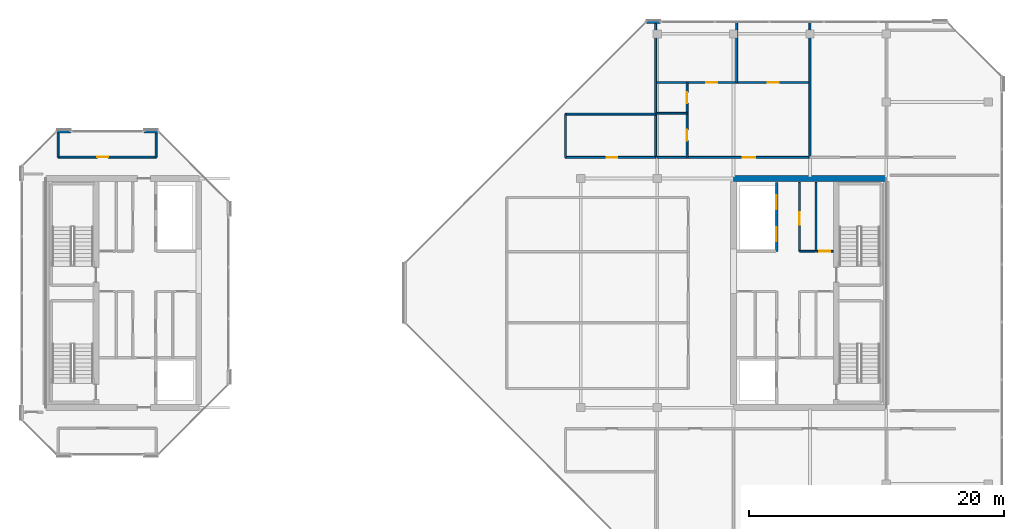
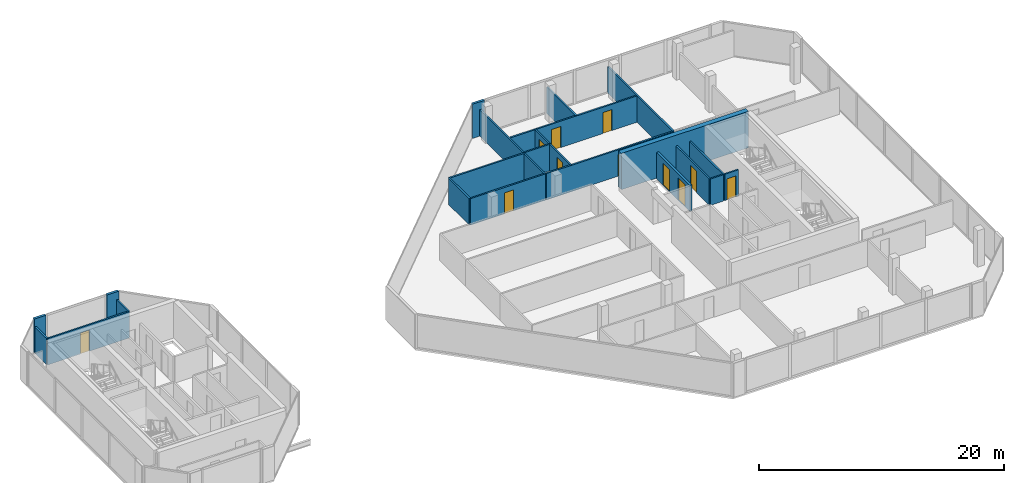
# One storey, part 25 of 30: 22 walls, 11 doors, 11 openings.
"""IFC4 building model written with IfcOpenShell, lengths in metres."""

import ifcopenshell
import ifcopenshell.guid

model = None  # the IFC model being written
_history = None  # IfcOwnerHistory: only IFC2X3 demands one
_inside = {}  # id of a spatial element -> (the spatial element, [elements in it])
_under = {}  # id of a project, library or spatial element -> (it, [spatial elements below it])
_declared = {}  # id of a project -> (the project, [libraries it declares])
_typed = {}  # id of a type object -> (the type object, [elements of that type])
_made_of = {}  # id of a material, layer set ... -> (it, [elements and type objects made of it])


def new_model(schema):
    """Start an empty IFC model of exactly this schema.

    Asked for "IFC4X3", IfcOpenShell would pick the latest addendum, in which some entities
    have other attributes; the version numbers below select the first issue.
    IFC2X3 requires an IfcOwnerHistory on every rooted entity: one is made here for all.
    """
    global model, _history
    if schema == "IFC4X3":
        model = ifcopenshell.file(schema_version=(4, 3, 0, 0))
    else:
        model = ifcopenshell.file(schema=schema)
    _inside.clear()
    _under.clear()
    _declared.clear()
    _typed.clear()
    _made_of.clear()
    _history = None
    if model.schema == "IFC2X3":
        org = make("IfcOrganization", Name="unknown")
        user = make(
            "IfcPersonAndOrganization",
            ThePerson=make("IfcPerson", FamilyName="unknown"),
            TheOrganization=org,
        )
        app = make(
            "IfcApplication",
            ApplicationDeveloper=org,
            Version="unknown",
            ApplicationFullName="unknown",
            ApplicationIdentifier="unknown",
        )
        _history = make(
            "IfcOwnerHistory",
            OwningUser=user,
            OwningApplication=app,
            ChangeAction="ADDED",
            CreationDate=0,
        )
    return model


def make(cls, **values):
    """One entity of the class cls with the attributes given. An attribute that is None is left unset."""
    return model.create_entity(
        cls, **{name: value for name, value in values.items() if value is not None}
    )


def rooted(cls, **values):
    """An entity with a GlobalId (a new one), such as an element, a storey or a relation."""
    return make(cls, GlobalId=ifcopenshell.guid.new(), OwnerHistory=_history, **values)


def si_unit(unit_type, name, prefix=None):
    """IfcSIUnit, for example si_unit("LENGTHUNIT", "METRE", prefix="MILLI")."""
    return make("IfcSIUnit", UnitType=unit_type, Prefix=prefix, Name=name)


def assignment(units):
    """IfcUnitAssignment: the units of a project."""
    return None if units is None else make("IfcUnitAssignment", Units=units)


def point(xyz):
    """IfcCartesianPoint."""
    return None if xyz is None else make("IfcCartesianPoint", Coordinates=xyz)


def direction(xyz):
    """IfcDirection."""
    return None if xyz is None else make("IfcDirection", DirectionRatios=xyz)


def frame(location, z_axis=None, x_axis=None):
    """IfcAxis2Placement3D, a coordinate frame: its origin and axes. An axis left out is left unset."""
    return make(
        "IfcAxis2Placement3D",
        Location=point(location),
        Axis=direction(z_axis),
        RefDirection=direction(x_axis),
    )


def frame_2d(location, x_axis=None):
    """IfcAxis2Placement2D, a coordinate frame in the plane: its origin and x axis."""
    return make(
        "IfcAxis2Placement2D", Location=point(location), RefDirection=direction(x_axis)
    )


def origin():
    """The frame at (0, 0, 0) with its axes left unset."""
    return frame((0.0, 0.0, 0.0))


def place(relative_to, where):
    """IfcLocalPlacement: puts the frame where relative to a parent placement (None: the world)."""
    return make(
        "IfcLocalPlacement", PlacementRelTo=relative_to, RelativePlacement=where
    )


def context(
    kind, dimensions, precision=None, world=None, true_north=None, identifier=None
):
    """IfcGeometricRepresentationContext, for example the 3D "Model" context."""
    return make(
        "IfcGeometricRepresentationContext",
        ContextIdentifier=identifier,
        ContextType=kind,
        CoordinateSpaceDimension=dimensions,
        Precision=precision,
        WorldCoordinateSystem=world,
        TrueNorth=true_north,
    )


def subcontext(parent, identifier, kind, view, scale=None):
    """IfcGeometricRepresentationSubContext, for example "Body" below "Model"."""
    return make(
        "IfcGeometricRepresentationSubContext",
        ContextIdentifier=identifier,
        ContextType=kind,
        ParentContext=parent,
        TargetScale=scale,
        TargetView=view,
    )


def project(units=None, contexts=None):
    """IfcProject with its units and contexts."""
    return rooted(
        "IfcProject",
        Name="project",
        RepresentationContexts=contexts,
        UnitsInContext=assignment(units),
    )


def spatial(cls, under=None, at=None, **own):
    """A site, building, storey or space (cls), placed at a placement, below another one or the project."""
    s = rooted(cls, ObjectPlacement=at, **own)
    if under is not None:
        _under.setdefault(under.id(), (under, []))[1].append(s)
    return s


def profile(cls, at=None, kind="AREA", **sizes):
    """A parametric profile (cls). Its sizes go by their IFC names, for example OverallWidth=200.0."""
    return make(cls, ProfileType=kind, Position=at, **sizes)


def rectangle(**sizes):
    """IfcRectangleProfileDef."""
    return profile("IfcRectangleProfileDef", **sizes)


def extrude(swept, where, along, depth):
    """IfcExtrudedAreaSolid: the profile swept, set in the frame where, extruded along a direction by depth."""
    return make(
        "IfcExtrudedAreaSolid",
        SweptArea=swept,
        Position=where,
        ExtrudedDirection=direction(along),
        Depth=depth,
    )


def shape(context_of_items, identifier, shape_type, items):
    """IfcShapeRepresentation: the items that make up one representation, for example the "Body"."""
    return make(
        "IfcShapeRepresentation",
        ContextOfItems=context_of_items,
        RepresentationIdentifier=identifier,
        RepresentationType=shape_type,
        Items=items,
    )


def material(Name=None, Category=None):
    """IfcMaterial."""
    return make("IfcMaterial", Name=Name, Category=Category)


def layer(
    of_material, thickness, ventilated=None, Name=None, Category=None, Priority=None
):
    """IfcMaterialLayer: one layer of a wall or slab, of a material (None: an air gap)."""
    return make(
        "IfcMaterialLayer",
        Material=of_material,
        LayerThickness=thickness,
        IsVentilated=ventilated,
        Name=Name,
        Category=Category,
        Priority=Priority,
    )


def layer_set(layers, Name=None):
    """IfcMaterialLayerSet."""
    return make("IfcMaterialLayerSet", MaterialLayers=layers, LayerSetName=Name)


def made_of(thing, what):
    """Note that an element or type object is made of a material, layer set ...; save() writes the relation."""
    if what is not None:
        _made_of.setdefault(what.id(), (what, []))[1].append(thing)
    return thing


def type_object(cls, material=None, **own):
    """A type object (cls), such as IfcWallType, which elements share."""
    return made_of(rooted(cls, **own), material)


def element(
    cls,
    number,
    at=None,
    inside=None,
    cuts=None,
    type_object=None,
    material=None,
    context=None,
    identifier="Body",
    shape_type=None,
    held_by="IfcProductDefinitionShape",
    body=None,
    shapes=None,
    **own,
):
    """One element of the class cls, such as IfcWall. Its Tag is "e" and its number.

    at: its placement. inside: the storey or other place that contains it. cuts: it is an
    opening in that element (IfcRelVoidsElement). A single representation is given by context,
    identifier, shape_type and body (its items); several are given by shapes. held_by: the class
    of the entity that holds the representations. save() writes the other relations.
    """
    e = rooted(cls, Tag="e%d" % number, ObjectPlacement=at, **own)
    if body is not None:
        shapes = [shape(context, identifier, shape_type, body)]
    if shapes is not None:
        e.Representation = make(held_by, Representations=shapes)
    if inside is not None:
        _inside.setdefault(inside.id(), (inside, []))[1].append(e)
    if cuts is not None:
        rooted(
            "IfcRelVoidsElement", RelatingBuildingElement=cuts, RelatedOpeningElement=e
        )
    if type_object is not None:
        _typed.setdefault(type_object.id(), (type_object, []))[1].append(e)
    return made_of(e, material)


def fill(opening, filler):
    """IfcRelFillsElement: the door or window that sits in an opening."""
    return rooted(
        "IfcRelFillsElement",
        RelatingOpeningElement=opening,
        RelatedBuildingElement=filler,
    )


def aggregate(whole, parts):
    """IfcRelAggregates: a whole, such as a stair, and the parts it consists of."""
    return rooted("IfcRelAggregates", RelatingObject=whole, RelatedObjects=parts)


def save(model, path):
    """Write the relations noted so far, then the file.

    IfcRelAggregates (storeys below a building ...), IfcRelContainedInSpatialStructure (elements
    in a storey), IfcRelDefinesByType, IfcRelAssociatesMaterial and IfcRelDeclares: one each for
    every whole, place, type object, material and project.
    """
    for whole, parts in _under.values():
        aggregate(whole, parts)
    for where, things in _inside.values():
        rooted(
            "IfcRelContainedInSpatialStructure",
            RelatedElements=things,
            RelatingStructure=where,
        )
    for kind, things in _typed.values():
        rooted("IfcRelDefinesByType", RelatedObjects=things, RelatingType=kind)
    for what, things in _made_of.values():
        rooted("IfcRelAssociatesMaterial", RelatedObjects=things, RelatingMaterial=what)
    for by, libraries in _declared.values():
        rooted("IfcRelDeclares", RelatingContext=by, RelatedDefinitions=libraries)
    model.write(path)


model = new_model("IFC4")

# Units and contexts
model_context = context("Model", 3, precision=1e-05, world=origin(), true_north=direction((0.0, 1.0)))
body_context = subcontext(model_context, "Body", "Model", "MODEL_VIEW")
ifc_project = project(units=[si_unit("LENGTHUNIT", "METRE"), si_unit("AREAUNIT", "SQUARE_METRE"), si_unit("VOLUMEUNIT", "CUBIC_METRE"), si_unit("PLANEANGLEUNIT", "RADIAN"), si_unit("MASSUNIT", "GRAM", prefix="KILO")], contexts=[model_context])

# Site, building, storey
site_placement = place(None, origin())
site = spatial("IfcSite", under=ifc_project, at=site_placement, CompositionType="ELEMENT")
building_placement = place(site_placement, origin())
building = spatial("IfcBuilding", under=site, at=building_placement, Name="Tanjung Sevakor Pilgrim Tower", CompositionType="ELEMENT")
storey_placement = place(building_placement, frame((0.0, 0.0, 253.43994140625)))
storey = spatial("IfcBuildingStorey", under=building, at=storey_placement, Name="L71", CompositionType="ELEMENT", Elevation=253.43994140625)

# Walls
ifc_material_1 = material(Name="Concrete C60/75", Category="concrete")
ifc_layer_1 = layer(ifc_material_1, 0.449951171875)
ifc_layer_set_1 = layer_set([ifc_layer_1], Name="WALL-CW-450")
wall_type_1 = type_object("IfcWallType", Name="WALL-CW-450", PredefinedType="SHEAR", material=ifc_layer_set_1)
wall_1_placement = place(storey_placement, frame((90.0, 42.60009765625, 0.0), z_axis=(0.0, 0.0, 1.0), x_axis=(-1.0, 0.0, 0.0)))
element("IfcWall", 1, at=wall_1_placement, inside=storey, type_object=wall_type_1, Name="L71 E Core North Shear Wall", PredefinedType="SHEAR", context=body_context, shape_type="SweptSolid", body=[
    extrude(rectangle(XDim=12.0, YDim=0.449951171875, at=frame_2d((6.0, 0.0))), origin(), (0.0, 0.0, 1.0), 3.630126953125),
])
ifc_material_2 = material(Name="Concrete C40/50", Category="concrete")
ifc_layer_2 = layer(ifc_material_2, 0.14990234375)
ifc_layer_set_2 = layer_set([ifc_layer_2], Name="WT-COMP-150")
wall_type_2 = type_object("IfcWallType", Name="WT-COMP-150", PredefinedType="SOLIDWALL", material=ifc_layer_set_2)
wall_2_placement = place(storey_placement, frame((84.47998046875, 36.8798828125, 0.0), z_axis=(0.0, 0.0, 1.0), x_axis=(0.0, 1.0, 0.0)))
element("IfcWall", 2, at=wall_2_placement, inside=storey, type_object=wall_type_2, Name="L71 Partition IW-L71-027", PredefinedType="SOLIDWALL", context=body_context, shape_type="SweptSolid", body=[
    extrude(rectangle(XDim=5.420166015625, YDim=0.14990234375, at=frame_2d((2.7099609375, 0.0))), origin(), (0.0, 0.0, 1.0), 2.6298828125),
])

# Wall, opening, door
wall_3_placement = place(storey_placement, frame((84.550048828125, 36.8798828125, 0.0), z_axis=(0.0, 0.0, 1.0), x_axis=(1.0, 0.0, 0.0)))
wall_3 = element("IfcWall", 3, at=wall_3_placement, inside=storey, type_object=wall_type_2, Name="L71 Partition IW-L71-028", PredefinedType="SOLIDWALL", context=body_context, shape_type="SweptSolid", body=[
    extrude(rectangle(XDim=1.280029296875, YDim=0.14990234375, at=frame_2d((0.64013671875, 0.0))), origin(), (0.0, 0.0, 1.0), 2.6298828125),
])
opening_1_placement = place(wall_3_placement, frame((0.179931640625, 0.0, 0.0)))
opening_1 = element("IfcOpeningElement", 4, at=opening_1_placement, cuts=wall_3, Name="Opening ID-FD3", PredefinedType="OPENING", context=body_context, shape_type="SweptSolid", body=[
    extrude(rectangle(XDim=0.85009765625, YDim=2.10009765625, at=frame_2d((0.425048828125, 1.050048828125))), frame((0.0, 0.0849609375, 0.0), z_axis=(0.0, -1.0, 0.0), x_axis=(1.0, 0.0, 0.0)), (0.0, 0.0, 1.0), 0.169921875),
])
ifc_material_3 = material(Name="Fire-Rated Timber", Category="wood")
door_type_1 = type_object("IfcDoorType", Name="DT-FIRE-850", OperationType="NOTDEFINED", PredefinedType="DOOR", material=ifc_material_3)
door_1_placement = place(opening_1_placement, origin())
door_1 = element("IfcDoor", 5, at=door_1_placement, inside=storey, type_object=door_type_1, Name="L71 Service Store Door", OperationType="SINGLE_SWING_LEFT", OverallHeight=2.10009765625, OverallWidth=0.85009765625, PredefinedType="DOOR", context=body_context, shape_type="SweptSolid", body=[
    extrude(rectangle(XDim=0.85009765625, YDim=2.10009765625, at=frame_2d((0.425048828125, 1.050048828125))), frame((0.0, 0.02490234375, 0.0), z_axis=(0.0, -1.0, 0.0), x_axis=(1.0, 0.0, 0.0)), (0.0, 0.0, 1.0), 0.050048828125),
])
fill(opening_1, door_1)

# Wall
wall_4_placement = place(storey_placement, frame((83.199951171875, 36.8798828125, 0.0), z_axis=(0.0, 0.0, 1.0), x_axis=(1.0, 0.0, 0.0)))
element("IfcWall", 6, at=wall_4_placement, inside=storey, type_object=wall_type_2, Name="L71 Partition IW-L71-029", PredefinedType="SOLIDWALL", context=body_context, shape_type="SweptSolid", body=[
    extrude(rectangle(XDim=1.219970703125, YDim=0.14990234375, at=frame_2d((0.60986328125, 0.0))), origin(), (0.0, 0.0, 1.0), 2.6298828125),
])

# Wall, opening, door
wall_5_placement = place(storey_placement, frame((83.179931640625, 36.8798828125, 0.0), z_axis=(0.0, 0.0, 1.0), x_axis=(0.0, 1.0, 0.0)))
wall_5 = element("IfcWall", 7, at=wall_5_placement, inside=storey, type_object=wall_type_2, Name="L71 Partition IW-L71-030", PredefinedType="SOLIDWALL", context=body_context, shape_type="SweptSolid", body=[
    extrude(rectangle(XDim=5.420166015625, YDim=0.14990234375, at=frame_2d((2.7099609375, 0.0))), origin(), (0.0, 0.0, 1.0), 2.6298828125),
])
opening_2_placement = place(wall_5_placement, frame((2.10009765625, 0.0, 0.0)))
opening_2 = element("IfcOpeningElement", 8, at=opening_2_placement, cuts=wall_5, Name="Opening ID-FD2", PredefinedType="OPENING", context=body_context, shape_type="SweptSolid", body=[
    extrude(rectangle(XDim=0.949951171875, YDim=2.14990234375, at=frame_2d((0.47509765625, 1.074951171875))), frame((0.0, 0.0849609375, 0.0), z_axis=(0.0, -1.0, 0.0), x_axis=(1.0, 0.0, 0.0)), (0.0, 0.0, 1.0), 0.169921875),
])
ifc_material_4 = material(Name="Fire-Rated Timber", Category="wood")
door_type_2 = type_object("IfcDoorType", Name="DT-FIRE-950", OperationType="NOTDEFINED", PredefinedType="DOOR", material=ifc_material_4)
door_2_placement = place(opening_2_placement, origin())
door_2 = element("IfcDoor", 9, at=door_2_placement, inside=storey, type_object=door_type_2, Name="L71 Core Reading Room Door", OperationType="SINGLE_SWING_RIGHT", OverallHeight=2.14990234375, OverallWidth=0.949951171875, PredefinedType="DOOR", context=body_context, shape_type="SweptSolid", body=[
    extrude(rectangle(XDim=0.949951171875, YDim=2.14990234375, at=frame_2d((0.47509765625, 1.074951171875))), frame((0.0, 0.02490234375, 0.0), z_axis=(0.0, -1.0, 0.0), x_axis=(1.0, 0.0, 0.0)), (0.0, 0.0, 1.0), 0.050048828125),
])
fill(opening_2, door_2)

wall_6_placement = place(storey_placement, frame((24.949951171875, 44.27001953125, 0.0), z_axis=(0.0, 0.0, 1.0), x_axis=(1.0, 0.0, 0.0)))
wall_6 = element("IfcWall", 10, at=wall_6_placement, inside=storey, type_object=wall_type_2, Name="L71 Partition IW-L71-038", PredefinedType="SOLIDWALL", context=body_context, shape_type="SweptSolid", body=[
    extrude(rectangle(XDim=7.699951171875, YDim=0.14990234375, at=frame_2d((3.85009765625, 0.0))), origin(), (0.0, 0.0, 1.0), 2.6298828125),
])
opening_3_placement = place(wall_6_placement, frame((3.074951171875, 0.0, 0.0)))
opening_3 = element("IfcOpeningElement", 11, at=opening_3_placement, cuts=wall_6, Name="Opening ID-WC1", PredefinedType="OPENING", context=body_context, shape_type="SweptSolid", body=[
    extrude(rectangle(XDim=0.85009765625, YDim=2.10009765625, at=frame_2d((0.425048828125, 1.050048828125))), frame((0.0, 0.0849609375, 0.0), z_axis=(0.0, -1.0, 0.0), x_axis=(1.0, 0.0, 0.0)), (0.0, 0.0, 1.0), 0.169921875),
])
ifc_material_5 = material(Name="Moisture-Resistant Timber", Category="wood")
door_type_3 = type_object("IfcDoorType", Name="DT-INT-850", OperationType="NOTDEFINED", PredefinedType="DOOR", material=ifc_material_5)
door_3_placement = place(opening_3_placement, origin())
door_3 = element("IfcDoor", 12, at=door_3_placement, inside=storey, type_object=door_type_3, Name="L71 West Peak North Observatory Door", OperationType="SINGLE_SWING_LEFT", OverallHeight=2.10009765625, OverallWidth=0.85009765625, PredefinedType="DOOR", context=body_context, shape_type="SweptSolid", body=[
    extrude(rectangle(XDim=0.85009765625, YDim=2.10009765625, at=frame_2d((0.425048828125, 1.050048828125))), frame((0.0, 0.02490234375, 0.0), z_axis=(0.0, -1.0, 0.0), x_axis=(1.0, 0.0, 0.0)), (0.0, 0.0, 1.0), 0.050048828125),
])
fill(opening_3, door_3)

# Walls
for number, where, z_axis, x_axis, name in (
    (13, (24.949951171875, 44.27001953125, 0.0), (0.0, 0.0, 1.0), (0.0, 1.0, 0.0), "L71 Partition IW-L71-039"),
    (14, (32.64990234375, 44.27001953125, 0.0), (0.0, 0.0, 1.0), (0.0, 1.0, 0.0), "L71 Partition IW-L71-040"),
):
    element("IfcWall", number, at=place(storey_placement, frame(where, z_axis=z_axis, x_axis=x_axis)), inside=storey, type_object=wall_type_2, Name=name, PredefinedType="SOLIDWALL", context=body_context, shape_type="SweptSolid", body=[
        extrude(rectangle(XDim=2.010009765625, YDim=0.14990234375, at=frame_2d((1.0048828125, 0.0))), origin(), (0.0, 0.0, 1.0), 2.6298828125),
    ])

# Wall, opening, door
wall_7_placement = place(storey_placement, frame((64.800048828125, 44.25, 0.0), z_axis=(0.0, 0.0, 1.0), x_axis=(1.0, 0.0, 0.0)))
wall_7 = element("IfcWall", 15, at=wall_7_placement, inside=storey, type_object=wall_type_2, Name="L71 Partition IW-L71-045", PredefinedType="SOLIDWALL", context=body_context, shape_type="SweptSolid", body=[
    extrude(rectangle(XDim=7.079833984375, YDim=0.14990234375, at=frame_2d((3.5400390625, 0.0))), origin(), (0.0, 0.0, 1.0), 2.6298828125),
])
opening_4_placement = place(wall_7_placement, frame((3.22509765625, 0.0, 0.0)))
opening_4 = element("IfcOpeningElement", 16, at=opening_4_placement, cuts=wall_7, Name="Opening ID-WC1", PredefinedType="OPENING", context=body_context, shape_type="SweptSolid", body=[
    extrude(rectangle(XDim=0.85009765625, YDim=2.10009765625, at=frame_2d((0.425048828125, 1.050048828125))), frame((0.0, 0.0849609375, 0.0), z_axis=(0.0, -1.0, 0.0), x_axis=(1.0, 0.0, 0.0)), (0.0, 0.0, 1.0), 0.169921875),
])
door_4_placement = place(opening_4_placement, origin())
door_4 = element("IfcDoor", 17, at=door_4_placement, inside=storey, type_object=door_type_3, Name="L71 NW Crown Library Door", OperationType="SINGLE_SWING_LEFT", OverallHeight=2.10009765625, OverallWidth=0.85009765625, PredefinedType="DOOR", context=body_context, shape_type="SweptSolid", body=[
    extrude(rectangle(XDim=0.85009765625, YDim=2.10009765625, at=frame_2d((0.425048828125, 1.050048828125))), frame((0.0, 0.02490234375, 0.0), z_axis=(0.0, -1.0, 0.0), x_axis=(1.0, 0.0, 0.0)), (0.0, 0.0, 1.0), 0.050048828125),
])
fill(opening_4, door_4)

# Walls
wall_8_placement = place(storey_placement, frame((64.800048828125, 47.64990234375, 0.0), z_axis=(0.0, 0.0, 1.0), x_axis=(1.0, 0.0, 0.0)))
element("IfcWall", 18, at=wall_8_placement, inside=storey, type_object=wall_type_2, Name="L71 Partition IW-L71-046", PredefinedType="SOLIDWALL", context=body_context, shape_type="SweptSolid", body=[
    extrude(rectangle(XDim=7.079833984375, YDim=0.14990234375, at=frame_2d((3.5400390625, 0.0))), origin(), (0.0, 0.0, 1.0), 2.6298828125),
])
wall_9_placement = place(storey_placement, frame((64.800048828125, 44.25, 0.0), z_axis=(0.0, 0.0, 1.0), x_axis=(0.0, 1.0, 0.0)))
element("IfcWall", 19, at=wall_9_placement, inside=storey, type_object=wall_type_2, Name="L71 Partition IW-L71-047", PredefinedType="SOLIDWALL", context=body_context, shape_type="SweptSolid", body=[
    extrude(rectangle(XDim=3.39990234375, YDim=0.14990234375, at=frame_2d((1.699951171875, 0.0))), origin(), (0.0, 0.0, 1.0), 2.6298828125),
])
for number, where, z_axis, x_axis, name in (
    (20, (71.8798828125, 44.25, 0.0), (0.0, 0.0, 1.0), (0.0, 1.0, 0.0), "L71 Partition IW-L71-048"),
    (21, (84.0, 44.25, 0.0), (0.0, 0.0, 1.0), (0.0, 1.0, 0.0), "L71 Partition IW-L71-060"),
):
    element("IfcWall", number, at=place(storey_placement, frame(where, z_axis=z_axis, x_axis=x_axis)), inside=storey, type_object=wall_type_2, Name=name, PredefinedType="SOLIDWALL", context=body_context, shape_type="SweptSolid", body=[
        extrude(rectangle(XDim=10.610107421875, YDim=0.14990234375, at=frame_2d((5.30517578125, 0.0))), origin(), (0.0, 0.0, 1.0), 2.6298828125),
    ])

# Wall, opening, door
wall_10_placement = place(storey_placement, frame((72.0, 44.25, 0.0), z_axis=(0.0, 0.0, 1.0), x_axis=(1.0, 0.0, 0.0)))
wall_10 = element("IfcWall", 22, at=wall_10_placement, inside=storey, type_object=wall_type_2, Name="L71 Partition IW-L71-065", PredefinedType="SOLIDWALL", context=body_context, shape_type="SweptSolid", body=[
    extrude(rectangle(XDim=12.0, YDim=0.14990234375, at=frame_2d((6.0, 0.0))), origin(), (0.0, 0.0, 1.0), 2.6298828125),
])
opening_5_placement = place(wall_10_placement, frame((6.739990234375, 0.0, 0.0)))
opening_5 = element("IfcOpeningElement", 23, at=opening_5_placement, cuts=wall_10, Name="Opening ID-FD2", PredefinedType="OPENING", context=body_context, shape_type="SweptSolid", body=[
    extrude(rectangle(XDim=0.949951171875, YDim=2.14990234375, at=frame_2d((0.47509765625, 1.074951171875))), frame((0.0, 0.0849609375, 0.0), z_axis=(0.0, -1.0, 0.0), x_axis=(1.0, 0.0, 0.0)), (0.0, 0.0, 1.0), 0.169921875),
])
door_5_placement = place(opening_5_placement, origin())
door_5 = element("IfcDoor", 24, at=door_5_placement, inside=storey, type_object=door_type_2, Name="Suite Entrance", OperationType="SINGLE_SWING_LEFT", OverallHeight=2.14990234375, OverallWidth=0.949951171875, PredefinedType="DOOR", context=body_context, shape_type="SweptSolid", body=[
    extrude(rectangle(XDim=0.949951171875, YDim=2.14990234375, at=frame_2d((0.47509765625, 1.074951171875))), frame((0.0, 0.02490234375, 0.0), z_axis=(0.0, -1.0, 0.0), x_axis=(1.0, 0.0, 0.0)), (0.0, 0.0, 1.0), 0.050048828125),
])
fill(opening_5, door_5)

# Walls
ifc_material_6 = material(Name="Precast concrete C45/55", Category="concrete")
ifc_layer_3 = layer(ifc_material_6, 0.219970703125)
ifc_layer_set_3 = layer_set([ifc_layer_3], Name="WT-EW-STN4")
wall_type_3 = type_object("IfcWallType", Name="WT-EW-STN4", PredefinedType="SOLIDWALL", material=ifc_layer_set_3)
wall_11_placement = place(storey_placement, frame((32.804443359375, 46.2900390625, 0.0), z_axis=(0.0, 0.0, 1.0), x_axis=(-1.0, 0.0, 0.0)))
element("IfcWall", 25, at=wall_11_placement, inside=storey, type_object=wall_type_3, Name="L71 WEST Crown Pier 4-1A", PredefinedType="SOLIDWALL", context=body_context, shape_type="SweptSolid", body=[
    extrude(rectangle(XDim=1.10009765625, YDim=0.219970703125, at=frame_2d((0.550048828125, 0.0))), origin(), (0.0, 0.0, 1.0), 3.409912109375),
])
wall_12_placement = place(storey_placement, frame((25.945556640625, 46.2900390625, 0.0), z_axis=(0.0, 0.0, 1.0), x_axis=(-1.0, 0.0, 0.0)))
element("IfcWall", 26, at=wall_12_placement, inside=storey, type_object=wall_type_3, Name="L71 WEST Crown Pier 4-1B", PredefinedType="SOLIDWALL", context=body_context, shape_type="SweptSolid", body=[
    extrude(rectangle(XDim=1.099853515625, YDim=0.219970703125, at=frame_2d((0.5498046875, 0.0))), origin(), (0.0, 0.0, 1.0), 3.409912109375),
])
wall_13_placement = place(storey_placement, frame((72.24560546875, 54.889892578125, 0.0), z_axis=(0.0, 0.0, 1.0), x_axis=(-1.0, 0.0, 0.0)))
element("IfcWall", 27, at=wall_13_placement, inside=storey, type_object=wall_type_3, Name="L71 EAST Crown Pier 4-1B", PredefinedType="SOLIDWALL", context=body_context, shape_type="SweptSolid", body=[
    extrude(rectangle(XDim=1.10009765625, YDim=0.219970703125, at=frame_2d((0.550048828125, 0.0))), origin(), (0.0, 0.0, 1.0), 3.409912109375),
])

# Wall, openings, doors
ifc_material_7 = material(Name="Concrete C40/50", Category="concrete")
ifc_layer_4 = layer(ifc_material_7, 0.199951171875)
ifc_layer_set_4 = layer_set([ifc_layer_4], Name="WT-FPRT-200")
wall_type_4 = type_object("IfcWallType", Name="WT-FPRT-200", PredefinedType="SOLIDWALL", material=ifc_layer_set_4)
wall_14_placement = place(storey_placement, frame((81.3798828125, 36.8798828125, 0.0), z_axis=(0.0, 0.0, 1.0), x_axis=(0.0, 1.0, 0.0)))
wall_14 = element("IfcWall", 28, at=wall_14_placement, inside=storey, type_object=wall_type_4, Name="L71 Partition IW-L71-032", PredefinedType="SOLIDWALL", context=body_context, shape_type="SweptSolid", body=[
    extrude(rectangle(XDim=5.420166015625, YDim=0.199951171875, at=frame_2d((2.7099609375, 0.0))), origin(), (0.0, 0.0, 1.0), 2.6298828125),
])
opening_6_placement = place(wall_14_placement, frame((0.800048828125, 0.0, 0.0)))
opening_6 = element("IfcOpeningElement", 29, at=opening_6_placement, cuts=wall_14, Name="Opening LD-1100", PredefinedType="OPENING", context=body_context, shape_type="SweptSolid", body=[
    extrude(rectangle(XDim=1.10009765625, YDim=2.199951171875, at=frame_2d((0.550048828125, 1.10009765625))), frame((0.0, 0.10986328125, 0.0), z_axis=(0.0, -1.0, 0.0), x_axis=(1.0, 0.0, 0.0)), (0.0, 0.0, 1.0), 0.219970703125),
])
opening_7_placement = place(wall_14_placement, frame((3.300048828125, 0.0, 0.0)))
opening_7 = element("IfcOpeningElement", 30, at=opening_7_placement, cuts=wall_14, Name="Opening LD-1100", PredefinedType="OPENING", context=body_context, shape_type="SweptSolid", body=[
    extrude(rectangle(XDim=1.10009765625, YDim=2.199951171875, at=frame_2d((0.550048828125, 1.10009765625))), frame((0.0, 0.10986328125, 0.0), z_axis=(0.0, -1.0, 0.0), x_axis=(1.0, 0.0, 0.0)), (0.0, 0.0, 1.0), 0.219970703125),
])
ifc_material_8 = material(Name="Brushed Stainless Steel S355J2", Category="steel")
door_type_4 = type_object("IfcDoorType", Name="DT-LIFT-1100", OperationType="SLIDING_TO_LEFT", PredefinedType="DOOR", material=ifc_material_8)
door_6_placement = place(opening_6_placement, origin())
door_6 = element("IfcDoor", 31, at=door_6_placement, inside=storey, type_object=door_type_4, Name="LD-PLH1-E", OperationType="SLIDING_TO_LEFT", OverallHeight=2.199951171875, OverallWidth=1.10009765625, PredefinedType="DOOR", context=body_context, shape_type="SweptSolid", body=[
    extrude(rectangle(XDim=1.10009765625, YDim=2.199951171875, at=frame_2d((0.550048828125, 1.10009765625))), frame((0.0, 0.02490234375, 0.0), z_axis=(0.0, -1.0, 0.0), x_axis=(1.0, 0.0, 0.0)), (0.0, 0.0, 1.0), 0.050048828125),
])
fill(opening_6, door_6)
door_7_placement = place(opening_7_placement, origin())
door_7 = element("IfcDoor", 32, at=door_7_placement, inside=storey, type_object=door_type_4, Name="LD-PLH2-E", OperationType="SLIDING_TO_RIGHT", OverallHeight=2.199951171875, OverallWidth=1.10009765625, PredefinedType="DOOR", context=body_context, shape_type="SweptSolid", body=[
    extrude(rectangle(XDim=1.10009765625, YDim=2.199951171875, at=frame_2d((0.550048828125, 1.10009765625))), frame((0.0, 0.02490234375, 0.0), z_axis=(0.0, -1.0, 0.0), x_axis=(1.0, 0.0, 0.0)), (0.0, 0.0, 1.0), 0.050048828125),
])
fill(opening_7, door_7)

# Wall
ifc_material_9 = material(Name="Gypsum Board Partition", Category="gypsum board")
ifc_layer_5 = layer(ifc_material_9, 0.14990234375)
ifc_layer_set_5 = layer_set([ifc_layer_5], Name="WT-PART-150")
wall_type_5 = type_object("IfcWallType", Name="WT-PART-150", PredefinedType="PARTITIONING", material=ifc_layer_set_5)
wall_15_placement = place(storey_placement, frame((72.0, 47.720703125, 0.0), z_axis=(0.0, 0.0, 1.0), x_axis=(1.0, 0.0, 0.0)))
element("IfcWall", 33, at=wall_15_placement, inside=storey, type_object=wall_type_5, Name="L71 Partition IW-L71-061", PredefinedType="PARTITIONING", context=body_context, shape_type="SweptSolid", body=[
    extrude(rectangle(XDim=2.35009765625, YDim=0.14990234375, at=frame_2d((1.175048828125, 0.0))), origin(), (0.0, 0.0, 1.0), 2.6298828125),
])

# Wall, openings, doors
wall_16_placement = place(storey_placement, frame((74.35009765625, 44.25, 0.0), z_axis=(0.0, 0.0, 1.0), x_axis=(0.0, 1.0, 0.0)))
wall_16 = element("IfcWall", 34, at=wall_16_placement, inside=storey, type_object=wall_type_5, Name="L71 Partition IW-L71-062", PredefinedType="PARTITIONING", context=body_context, shape_type="SweptSolid", body=[
    extrude(rectangle(XDim=5.88232421875, YDim=0.14990234375, at=frame_2d((2.941162109375, 0.0))), origin(), (0.0, 0.0, 1.0), 2.6298828125),
])
opening_8_placement = place(wall_16_placement, frame((1.310302734375, 0.0, 0.0)))
opening_8 = element("IfcOpeningElement", 35, at=opening_8_placement, cuts=wall_16, Name="Opening ID-WC1", PredefinedType="OPENING", context=body_context, shape_type="SweptSolid", body=[
    extrude(rectangle(XDim=0.85009765625, YDim=2.10009765625, at=frame_2d((0.425048828125, 1.050048828125))), frame((0.0, 0.0849609375, 0.0), z_axis=(0.0, -1.0, 0.0), x_axis=(1.0, 0.0, 0.0)), (0.0, 0.0, 1.0), 0.169921875),
])
opening_9_placement = place(wall_16_placement, frame((4.25146484375, 0.0, 0.0)))
opening_9 = element("IfcOpeningElement", 36, at=opening_9_placement, cuts=wall_16, Name="Opening ID-WC1", PredefinedType="OPENING", context=body_context, shape_type="SweptSolid", body=[
    extrude(rectangle(XDim=0.85009765625, YDim=2.10009765625, at=frame_2d((0.425048828125, 1.050048828125))), frame((0.0, 0.0849609375, 0.0), z_axis=(0.0, -1.0, 0.0), x_axis=(1.0, 0.0, 0.0)), (0.0, 0.0, 1.0), 0.169921875),
])
door_8_placement = place(opening_8_placement, origin())
door_8 = element("IfcDoor", 37, at=door_8_placement, inside=storey, type_object=door_type_3, Name="Suite Kitchenette Door", OperationType="SINGLE_SWING_LEFT", OverallHeight=2.10009765625, OverallWidth=0.85009765625, PredefinedType="DOOR", context=body_context, shape_type="SweptSolid", body=[
    extrude(rectangle(XDim=0.85009765625, YDim=2.10009765625, at=frame_2d((0.425048828125, 1.050048828125))), frame((0.0, 0.02490234375, 0.0), z_axis=(0.0, -1.0, 0.0), x_axis=(1.0, 0.0, 0.0)), (0.0, 0.0, 1.0), 0.050048828125),
])
fill(opening_8, door_8)
door_9_placement = place(opening_9_placement, origin())
door_9 = element("IfcDoor", 38, at=door_9_placement, inside=storey, type_object=door_type_3, Name="Suite Bathroom Door", OperationType="SINGLE_SWING_RIGHT", OverallHeight=2.10009765625, OverallWidth=0.85009765625, PredefinedType="DOOR", context=body_context, shape_type="SweptSolid", body=[
    extrude(rectangle(XDim=0.85009765625, YDim=2.10009765625, at=frame_2d((0.425048828125, 1.050048828125))), frame((0.0, 0.02490234375, 0.0), z_axis=(0.0, -1.0, 0.0), x_axis=(1.0, 0.0, 0.0)), (0.0, 0.0, 1.0), 0.050048828125),
])
fill(opening_9, door_9)

# Wall
wall_17_placement = place(storey_placement, frame((78.239990234375, 50.13232421875, 0.0), z_axis=(0.0, 0.0, 1.0), x_axis=(0.0, 1.0, 0.0)))
element("IfcWall", 39, at=wall_17_placement, inside=storey, type_object=wall_type_5, Name="L71 Partition IW-L71-063", PredefinedType="PARTITIONING", context=body_context, shape_type="SweptSolid", body=[
    extrude(rectangle(XDim=4.727783203125, YDim=0.14990234375, at=frame_2d((2.36376953125, 0.0))), origin(), (0.0, 0.0, 1.0), 2.6298828125),
])

# Wall, openings, doors
wall_18_placement = place(storey_placement, frame((72.0, 50.13232421875, 0.0), z_axis=(0.0, 0.0, 1.0), x_axis=(1.0, 0.0, 0.0)))
wall_18 = element("IfcWall", 40, at=wall_18_placement, inside=storey, type_object=wall_type_5, Name="L71 Partition IW-L71-064", PredefinedType="PARTITIONING", context=body_context, shape_type="SweptSolid", body=[
    extrude(rectangle(XDim=12.0, YDim=0.14990234375, at=frame_2d((6.0, 0.0))), origin(), (0.0, 0.0, 1.0), 2.6298828125),
])
opening_10_placement = place(wall_18_placement, frame((3.8701171875, 0.0, 0.0)))
opening_10 = element("IfcOpeningElement", 41, at=opening_10_placement, cuts=wall_18, Name="Opening ID-WC1", PredefinedType="OPENING", context=body_context, shape_type="SweptSolid", body=[
    extrude(rectangle(XDim=0.85009765625, YDim=2.10009765625, at=frame_2d((0.425048828125, 1.050048828125))), frame((0.0, 0.0849609375, 0.0), z_axis=(0.0, -1.0, 0.0), x_axis=(1.0, 0.0, 0.0)), (0.0, 0.0, 1.0), 0.169921875),
])
opening_11_placement = place(wall_18_placement, frame((8.695068359375, 0.0, 0.0)))
opening_11 = element("IfcOpeningElement", 42, at=opening_11_placement, cuts=wall_18, Name="Opening ID-WC1", PredefinedType="OPENING", context=body_context, shape_type="SweptSolid", body=[
    extrude(rectangle(XDim=0.85009765625, YDim=2.10009765625, at=frame_2d((0.425048828125, 1.050048828125))), frame((0.0, 0.0849609375, 0.0), z_axis=(0.0, -1.0, 0.0), x_axis=(1.0, 0.0, 0.0)), (0.0, 0.0, 1.0), 0.169921875),
])
door_10_placement = place(opening_10_placement, origin())
door_10 = element("IfcDoor", 43, at=door_10_placement, inside=storey, type_object=door_type_3, Name="Suite Bedroom 1 Door", OperationType="SINGLE_SWING_LEFT", OverallHeight=2.10009765625, OverallWidth=0.85009765625, PredefinedType="DOOR", context=body_context, shape_type="SweptSolid", body=[
    extrude(rectangle(XDim=0.85009765625, YDim=2.10009765625, at=frame_2d((0.425048828125, 1.050048828125))), frame((0.0, 0.02490234375, 0.0), z_axis=(0.0, -1.0, 0.0), x_axis=(1.0, 0.0, 0.0)), (0.0, 0.0, 1.0), 0.050048828125),
])
fill(opening_10, door_10)
door_11_placement = place(opening_11_placement, origin())
door_11 = element("IfcDoor", 44, at=door_11_placement, inside=storey, type_object=door_type_3, Name="Suite Bedroom 2 Door", OperationType="SINGLE_SWING_RIGHT", OverallHeight=2.10009765625, OverallWidth=0.85009765625, PredefinedType="DOOR", context=body_context, shape_type="SweptSolid", body=[
    extrude(rectangle(XDim=0.85009765625, YDim=2.10009765625, at=frame_2d((0.425048828125, 1.050048828125))), frame((0.0, 0.02490234375, 0.0), z_axis=(0.0, -1.0, 0.0), x_axis=(1.0, 0.0, 0.0)), (0.0, 0.0, 1.0), 0.050048828125),
])
fill(opening_11, door_11)

save(model, "model.ifc")
